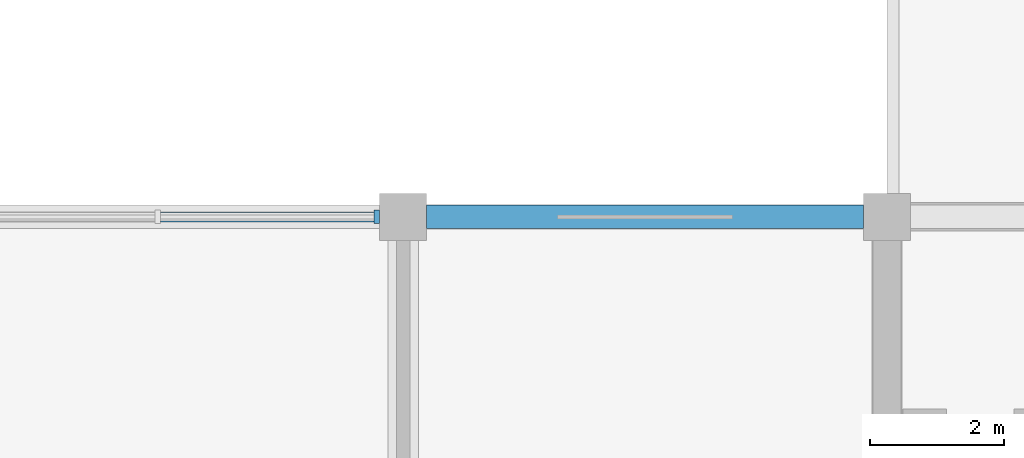
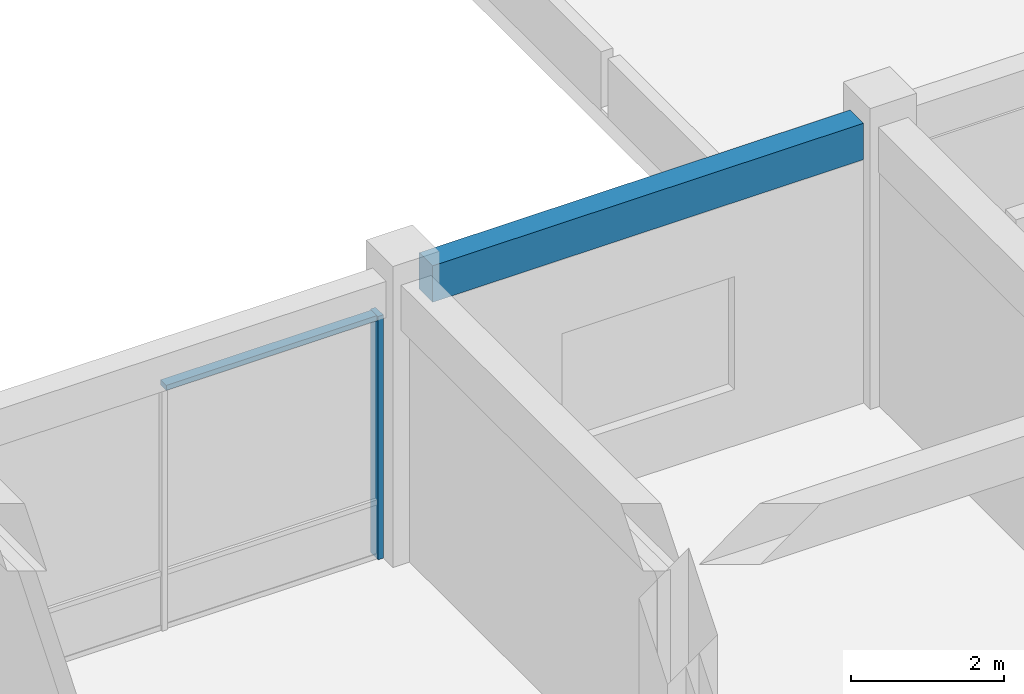
# One storey, part 8 of 30: 2 members, 1 beam, 1 element without a shape of its own.
"""IFC4 building model written with IfcOpenShell, lengths in metres."""

from ifc_helpers import new_model, si_unit, direction, frame, origin, origin_2d, place, context, subcontext, project, spatial, rectangle, extrude, material, layer, layer_set, material_profile, profile_set, type_object, element, aggregate, save


model = new_model("IFC4")

# Units and contexts
model_context = context("Model", 3, precision=1e-05, world=origin(), true_north=direction((0.0, 1.0)))
body_context = subcontext(model_context, "Body", "Model", "MODEL_VIEW")
ifc_project = project(units=[si_unit("LENGTHUNIT", "METRE"), si_unit("AREAUNIT", "SQUARE_METRE"), si_unit("VOLUMEUNIT", "CUBIC_METRE"), si_unit("PLANEANGLEUNIT", "RADIAN"), si_unit("MASSUNIT", "GRAM", prefix="KILO")], contexts=[model_context])

# Site, building, storey
site_placement = place(None, origin())
site = spatial("IfcSite", under=ifc_project, at=site_placement, CompositionType="ELEMENT")
building_placement = place(site_placement, origin())
building = spatial("IfcBuilding", under=site, at=building_placement, Name="Cendaluz Park School", CompositionType="ELEMENT")
storey_placement = place(building_placement, frame((0.0, 0.0, 9.60009765625)))
storey = spatial("IfcBuildingStorey", under=building, at=storey_placement, Name="L02", CompositionType="ELEMENT", Elevation=9.60009765625)

# Beam
ifc_material_1 = material(Name="Concrete C40/50", Category="concrete")
ifc_material_profile_1 = material_profile(ifc_material_1, rectangle(XDim=0.35009765625, YDim=0.580078125, at=origin_2d()), Name="RC 350x580", Category="concrete")
ifc_profile_set_1 = profile_set([ifc_material_profile_1], Name="Concrete C40/50")
beam_type = type_object("IfcBeamType", Name="BM-RC04", PredefinedType="LINTEL", material=ifc_profile_set_1)
beam_placement = place(storey_placement, frame((122.75, 28.800048828125, 4.169921875), z_axis=(1.0, 0.0, 0.0), x_axis=(0.0, 1.0, 0.0)))
element("IfcBeam", 1, at=beam_placement, inside=storey, type_object=beam_type, Name="BM-L02-BMRC04-0103", PredefinedType="LINTEL", context=body_context, shape_type="SweptSolid", body=[
    extrude(rectangle(XDim=0.35009765625, YDim=0.580078125, at=origin_2d()), origin(), (0.0, 0.0, 1.0), 6.5),
])

# Curtain wall, members
ifc_material_2 = material(Name="Anodised Aluminium 6063-T6", Category="aluminium")
ifc_layer = layer(ifc_material_2, 0.179931640625)
ifc_layer_set = layer_set([ifc_layer], Name="Anodised Aluminium 6063-T6")
curtain_wall_type = type_object("IfcCurtainWallType", Name="CW-132x78", PredefinedType="NOTDEFINED", material=ifc_layer_set)
curtain_wall_placement = place(storey_placement, origin())
curtain_wall = element("IfcCurtainWall", 2, at=curtain_wall_placement, inside=storey, type_object=curtain_wall_type, Name="CW-L02-121", PredefinedType="NOTDEFINED")
ifc_material_profile_2 = material_profile(ifc_material_2, rectangle(XDim=0.199951171875, YDim=0.080078125, at=origin_2d()), Name="CWM 200x80", Category="aluminium")
ifc_profile_set_2 = profile_set([ifc_material_profile_2], Name="Anodised Aluminium 6063-T6")
member_type_1 = type_object("IfcMemberType", Name="CWM-02", PredefinedType="MULLION", material=ifc_profile_set_2)
member_1_placement = place(storey_placement, frame((122.010009765625, 28.800048828125, 0.0), z_axis=(0.0, 0.0, 1.0), x_axis=(0.0, 1.0, 0.0)))
member_1 = element("IfcMember", 3, at=member_1_placement, type_object=member_type_1, Name="CP-L02-1563", PredefinedType="MULLION", context=body_context, shape_type="SweptSolid", body=[
    extrude(rectangle(XDim=0.199951171875, YDim=0.080078125, at=origin_2d()), origin(), (0.0, 0.0, 1.0), 3.8798828125),
])
ifc_material_profile_3 = material_profile(ifc_material_2, rectangle(XDim=0.14990234375, YDim=0.080078125, at=origin_2d()), Name="CWT 150x80", Category="aluminium")
ifc_profile_set_3 = profile_set([ifc_material_profile_3], Name="Anodised Aluminium 6063-T6")
member_type_2 = type_object("IfcMemberType", Name="CWT-02", PredefinedType="USERDEFINED", material=ifc_profile_set_3)
member_2_placement = place(storey_placement, frame((118.7900390625, 28.800048828125, 3.83984375), z_axis=(1.0, 0.0, 0.0), x_axis=(0.0, 1.0, 0.0)))
member_2 = element("IfcMember", 4, at=member_2_placement, type_object=member_type_2, Name="CP-L02-1571", ObjectType="TRANSOM", PredefinedType="USERDEFINED", context=body_context, shape_type="SweptSolid", body=[
    extrude(rectangle(XDim=0.14990234375, YDim=0.080078125, at=origin_2d()), origin(), (0.0, 0.0, 1.0), 3.179931640625),
])
aggregate(curtain_wall, [member_1, member_2])

save(model, "model.ifc")
